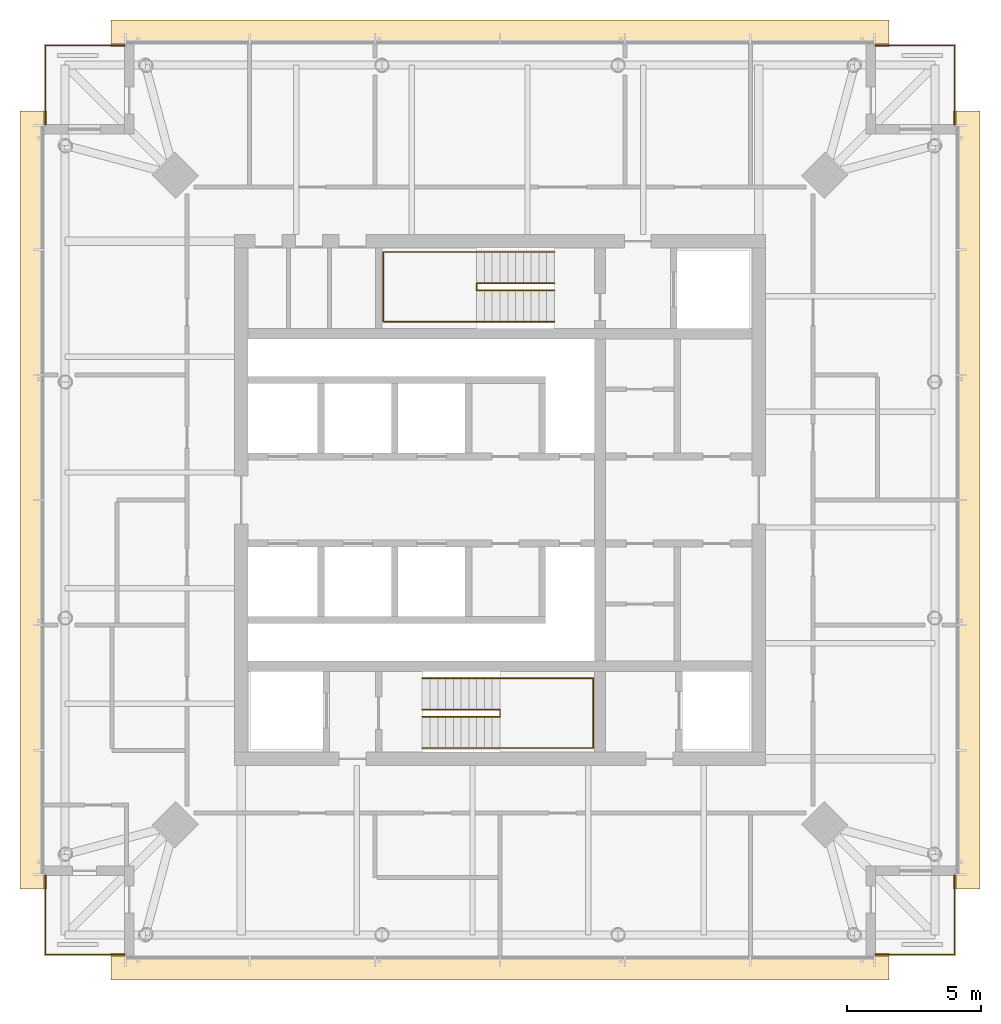
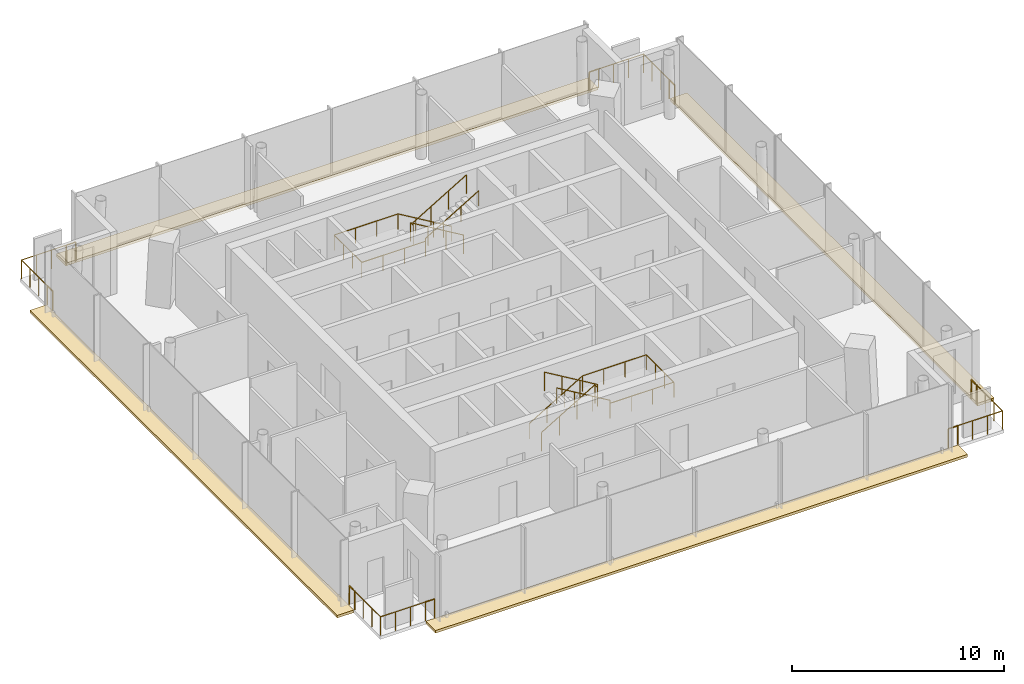
# One storey, part 9 of 9: 16 railings, 4 coverings.
"""IFC4 building model written with IfcOpenShell, lengths in metres."""

from ifc_helpers import new_model, si_unit, direction, frame, origin, origin_2d, place, context, subcontext, project, spatial, polyline, circle, outline, extrude, material, layer, layer_set, type_object, element, save


model = new_model("IFC4")

# Units and contexts
model_context = context("Model", 3, precision=1e-05, world=origin(), true_north=direction((0.0, 1.0)))
body_context = subcontext(model_context, "Body", "Model", "MODEL_VIEW")
ifc_project = project(units=[si_unit("LENGTHUNIT", "METRE"), si_unit("AREAUNIT", "SQUARE_METRE"), si_unit("VOLUMEUNIT", "CUBIC_METRE"), si_unit("PLANEANGLEUNIT", "RADIAN"), si_unit("MASSUNIT", "GRAM", prefix="KILO")], contexts=[model_context])

# Site, building, storey
site_placement = place(None, origin())
site = spatial("IfcSite", under=ifc_project, at=site_placement, CompositionType="ELEMENT")
building_placement = place(site_placement, origin())
building = spatial("IfcBuilding", under=site, at=building_placement, Name="Ostroluk Exchange", CompositionType="ELEMENT")
storey_placement = place(building_placement, frame((0.0, 0.0, 264.199951171875)))
storey = spatial("IfcBuildingStorey", under=building, at=storey_placement, Name="L68", CompositionType="ELEMENT", Elevation=264.199951171875)

# Railings
ifc_material_1 = material(Name="Stainless steel", Category="steel")
railing_type_1 = type_object("IfcRailingType", Name="Guard 1100 stainless steel", PredefinedType="GUARDRAIL", material=ifc_material_1)
railing_1_placement = place(storey_placement, frame((59.5, 29.050048828125, 0.0)))
element("IfcRailing", 1, at=railing_1_placement, inside=storey, type_object=railing_type_1, Name="Office tower SE balcony guard L68", PredefinedType="GUARDRAIL", context=body_context, shape_type="SweptSolid", body=[
    extrude(circle(Radius=0.02392578125, at=origin_2d()), frame((0.0, 0.0, 1.076171875), z_axis=(1.0, 0.0, 0.0), x_axis=(0.0, 1.0, 0.0)), (0.0, 0.0, 1.0), 2.449951171875),
    extrude(circle(Radius=0.02392578125, at=origin_2d()), frame((2.449951171875, 0.0, 1.076171875), z_axis=(0.0, 1.0, 0.0), x_axis=(-1.0, 0.0, 0.0)), (0.0, 0.0, 1.0), 2.449951171875),
    extrude(circle(Radius=0.02099609375, at=origin_2d()), origin(), (0.0, 0.0, 1.0), 1.052001953125),
    extrude(circle(Radius=0.02099609375, at=origin_2d()), frame((0.816650390625, 0.0, 0.0)), (0.0, 0.0, 1.0), 1.052001953125),
    extrude(circle(Radius=0.02099609375, at=origin_2d()), frame((1.63330078125, 0.0, 0.0)), (0.0, 0.0, 1.0), 1.052001953125),
    extrude(circle(Radius=0.02099609375, at=origin_2d()), frame((2.449951171875, 0.0, 0.0)), (0.0, 0.0, 1.0), 1.052001953125),
    extrude(circle(Radius=0.02099609375, at=origin_2d()), frame((2.449951171875, 0.816650390625, 0.0)), (0.0, 0.0, 1.0), 1.052001953125),
    extrude(circle(Radius=0.02099609375, at=origin_2d()), frame((2.449951171875, 1.63330078125, 0.0)), (0.0, 0.0, 1.0), 1.052001953125),
    extrude(circle(Radius=0.02099609375, at=origin_2d()), frame((2.449951171875, 2.449951171875, 0.0)), (0.0, 0.0, 1.0), 1.052001953125),
])
railing_2_placement = place(storey_placement, frame((59.5, 62.949951171875, 0.0)))
element("IfcRailing", 2, at=railing_2_placement, inside=storey, type_object=railing_type_1, Name="Office tower NE balcony guard L68", PredefinedType="GUARDRAIL", context=body_context, shape_type="SweptSolid", body=[
    extrude(circle(Radius=0.02392578125, at=origin_2d()), frame((0.0, 0.0, 1.076171875), z_axis=(1.0, 0.0, 0.0), x_axis=(0.0, 1.0, 0.0)), (0.0, 0.0, 1.0), 2.449951171875),
    extrude(circle(Radius=0.02392578125, at=origin_2d()), frame((2.449951171875, 0.0, 1.076171875), z_axis=(0.0, -1.0, 0.0), x_axis=(1.0, 0.0, 0.0)), (0.0, 0.0, 1.0), 2.449951171875),
    extrude(circle(Radius=0.02099609375, at=origin_2d()), origin(), (0.0, 0.0, 1.0), 1.052001953125),
    extrude(circle(Radius=0.02099609375, at=origin_2d()), frame((0.816650390625, 0.0, 0.0)), (0.0, 0.0, 1.0), 1.052001953125),
    extrude(circle(Radius=0.02099609375, at=origin_2d()), frame((1.63330078125, 0.0, 0.0)), (0.0, 0.0, 1.0), 1.052001953125),
    extrude(circle(Radius=0.02099609375, at=origin_2d()), frame((2.449951171875, 0.0, 0.0)), (0.0, 0.0, 1.0), 1.052001953125),
    extrude(circle(Radius=0.02099609375, at=origin_2d()), frame((2.449951171875, -0.816650390625, 0.0)), (0.0, 0.0, 1.0), 1.052001953125),
    extrude(circle(Radius=0.02099609375, at=origin_2d()), frame((2.449951171875, -1.63330078125, 0.0)), (0.0, 0.0, 1.0), 1.052001953125),
    extrude(circle(Radius=0.02099609375, at=origin_2d()), frame((2.449951171875, -2.449951171875, 0.0)), (0.0, 0.0, 1.0), 1.052001953125),
])
railing_3_placement = place(storey_placement, frame((30.5, 62.949951171875, 0.0)))
element("IfcRailing", 3, at=railing_3_placement, inside=storey, type_object=railing_type_1, Name="Office tower NW balcony guard L68", PredefinedType="GUARDRAIL", context=body_context, shape_type="SweptSolid", body=[
    extrude(circle(Radius=0.02392578125, at=origin_2d()), frame((0.0, 0.0, 1.076171875), z_axis=(-1.0, 0.0, 0.0), x_axis=(0.0, -1.0, 0.0)), (0.0, 0.0, 1.0), 2.449951171875),
    extrude(circle(Radius=0.02392578125, at=origin_2d()), frame((-2.449951171875, 0.0, 1.076171875), z_axis=(0.0, -1.0, 0.0), x_axis=(1.0, 0.0, 0.0)), (0.0, 0.0, 1.0), 2.449951171875),
    extrude(circle(Radius=0.02099609375, at=origin_2d()), origin(), (0.0, 0.0, 1.0), 1.052001953125),
    extrude(circle(Radius=0.02099609375, at=origin_2d()), frame((-0.816650390625, 0.0, 0.0)), (0.0, 0.0, 1.0), 1.052001953125),
    extrude(circle(Radius=0.02099609375, at=origin_2d()), frame((-1.63330078125, 0.0, 0.0)), (0.0, 0.0, 1.0), 1.052001953125),
    extrude(circle(Radius=0.02099609375, at=origin_2d()), frame((-2.449951171875, 0.0, 0.0)), (0.0, 0.0, 1.0), 1.052001953125),
    extrude(circle(Radius=0.02099609375, at=origin_2d()), frame((-2.449951171875, -0.816650390625, 0.0)), (0.0, 0.0, 1.0), 1.052001953125),
    extrude(circle(Radius=0.02099609375, at=origin_2d()), frame((-2.449951171875, -1.63330078125, 0.0)), (0.0, 0.0, 1.0), 1.052001953125),
    extrude(circle(Radius=0.02099609375, at=origin_2d()), frame((-2.449951171875, -2.449951171875, 0.0)), (0.0, 0.0, 1.0), 1.052001953125),
])
railing_4_placement = place(storey_placement, frame((30.5, 29.050048828125, 0.0)))
element("IfcRailing", 4, at=railing_4_placement, inside=storey, type_object=railing_type_1, Name="Office tower SW balcony guard L68", PredefinedType="GUARDRAIL", context=body_context, shape_type="SweptSolid", body=[
    extrude(circle(Radius=0.02392578125, at=origin_2d()), frame((0.0, 0.0, 1.076171875), z_axis=(-1.0, 0.0, 0.0), x_axis=(0.0, -1.0, 0.0)), (0.0, 0.0, 1.0), 2.449951171875),
    extrude(circle(Radius=0.02392578125, at=origin_2d()), frame((-2.449951171875, 0.0, 1.076171875), z_axis=(0.0, 1.0, 0.0), x_axis=(-1.0, 0.0, 0.0)), (0.0, 0.0, 1.0), 2.449951171875),
    extrude(circle(Radius=0.02099609375, at=origin_2d()), origin(), (0.0, 0.0, 1.0), 1.052001953125),
    extrude(circle(Radius=0.02099609375, at=origin_2d()), frame((-0.816650390625, 0.0, 0.0)), (0.0, 0.0, 1.0), 1.052001953125),
    extrude(circle(Radius=0.02099609375, at=origin_2d()), frame((-1.63330078125, 0.0, 0.0)), (0.0, 0.0, 1.0), 1.052001953125),
    extrude(circle(Radius=0.02099609375, at=origin_2d()), frame((-2.449951171875, 0.0, 0.0)), (0.0, 0.0, 1.0), 1.052001953125),
    extrude(circle(Radius=0.02099609375, at=origin_2d()), frame((-2.449951171875, 0.816650390625, 0.0)), (0.0, 0.0, 1.0), 1.052001953125),
    extrude(circle(Radius=0.02099609375, at=origin_2d()), frame((-2.449951171875, 1.63330078125, 0.0)), (0.0, 0.0, 1.0), 1.052001953125),
    extrude(circle(Radius=0.02099609375, at=origin_2d()), frame((-2.449951171875, 2.449951171875, 0.0)), (0.0, 0.0, 1.0), 1.052001953125),
])
ifc_material_2 = material(Name="Stainless steel", Category="steel")
railing_type_2 = type_object("IfcRailingType", Name="Lockable maintenance gate 1100", PredefinedType="GUARDRAIL", material=ifc_material_2)
railing_5_placement = place(storey_placement, frame((59.0, 29.050048828125, 0.0)))
element("IfcRailing", 5, at=railing_5_placement, inside=storey, type_object=railing_type_2, Name="Lockable maintenance gate T1 L68 SE", PredefinedType="GUARDRAIL", context=body_context, shape_type="SweptSolid", body=[
    extrude(circle(Radius=0.02392578125, at=origin_2d()), frame((0.0, 0.0, 1.076171875), z_axis=(1.0, 0.0, 0.0), x_axis=(0.0, 1.0, 0.0)), (0.0, 0.0, 1.0), 0.5),
    extrude(circle(Radius=0.02099609375, at=origin_2d()), origin(), (0.0, 0.0, 1.0), 1.052001953125),
    extrude(circle(Radius=0.02099609375, at=origin_2d()), frame((0.5, 0.0, 0.0)), (0.0, 0.0, 1.0), 1.052001953125),
])
railing_6_placement = place(storey_placement, frame((61.949951171875, 31.5, 0.0)))
element("IfcRailing", 6, at=railing_6_placement, inside=storey, type_object=railing_type_2, Name="Lockable maintenance gate T1 L68 SE", PredefinedType="GUARDRAIL", context=body_context, shape_type="SweptSolid", body=[
    extrude(circle(Radius=0.02392578125, at=origin_2d()), frame((0.0, 0.0, 1.076171875), z_axis=(0.0, 1.0, 0.0), x_axis=(-1.0, 0.0, 0.0)), (0.0, 0.0, 1.0), 0.5),
    extrude(circle(Radius=0.02099609375, at=origin_2d()), origin(), (0.0, 0.0, 1.0), 1.052001953125),
    extrude(circle(Radius=0.02099609375, at=origin_2d()), frame((0.0, 0.5, 0.0)), (0.0, 0.0, 1.0), 1.052001953125),
])
railing_7_placement = place(storey_placement, frame((59.0, 62.949951171875, 0.0)))
element("IfcRailing", 7, at=railing_7_placement, inside=storey, type_object=railing_type_2, Name="Lockable maintenance gate T1 L68 NE", PredefinedType="GUARDRAIL", context=body_context, shape_type="SweptSolid", body=[
    extrude(circle(Radius=0.02392578125, at=origin_2d()), frame((0.0, 0.0, 1.076171875), z_axis=(1.0, 0.0, 0.0), x_axis=(0.0, 1.0, 0.0)), (0.0, 0.0, 1.0), 0.5),
    extrude(circle(Radius=0.02099609375, at=origin_2d()), origin(), (0.0, 0.0, 1.0), 1.052001953125),
    extrude(circle(Radius=0.02099609375, at=origin_2d()), frame((0.5, 0.0, 0.0)), (0.0, 0.0, 1.0), 1.052001953125),
])
railing_8_placement = place(storey_placement, frame((61.949951171875, 60.5, 0.0)))
element("IfcRailing", 8, at=railing_8_placement, inside=storey, type_object=railing_type_2, Name="Lockable maintenance gate T1 L68 NE", PredefinedType="GUARDRAIL", context=body_context, shape_type="SweptSolid", body=[
    extrude(circle(Radius=0.02392578125, at=origin_2d()), frame((0.0, 0.0, 1.076171875), z_axis=(0.0, -1.0, 0.0), x_axis=(1.0, 0.0, 0.0)), (0.0, 0.0, 1.0), 0.5),
    extrude(circle(Radius=0.02099609375, at=origin_2d()), origin(), (0.0, 0.0, 1.0), 1.052001953125),
    extrude(circle(Radius=0.02099609375, at=origin_2d()), frame((0.0, -0.5, 0.0)), (0.0, 0.0, 1.0), 1.052001953125),
])
railing_9_placement = place(storey_placement, frame((31.0, 62.949951171875, 0.0)))
element("IfcRailing", 9, at=railing_9_placement, inside=storey, type_object=railing_type_2, Name="Lockable maintenance gate T1 L68 NW", PredefinedType="GUARDRAIL", context=body_context, shape_type="SweptSolid", body=[
    extrude(circle(Radius=0.02392578125, at=origin_2d()), frame((0.0, 0.0, 1.076171875), z_axis=(-1.0, 0.0, 0.0), x_axis=(0.0, -1.0, 0.0)), (0.0, 0.0, 1.0), 0.5),
    extrude(circle(Radius=0.02099609375, at=origin_2d()), origin(), (0.0, 0.0, 1.0), 1.052001953125),
    extrude(circle(Radius=0.02099609375, at=origin_2d()), frame((-0.5, 0.0, 0.0)), (0.0, 0.0, 1.0), 1.052001953125),
])
railing_10_placement = place(storey_placement, frame((28.050048828125, 60.5, 0.0)))
element("IfcRailing", 10, at=railing_10_placement, inside=storey, type_object=railing_type_2, Name="Lockable maintenance gate T1 L68 NW", PredefinedType="GUARDRAIL", context=body_context, shape_type="SweptSolid", body=[
    extrude(circle(Radius=0.02392578125, at=origin_2d()), frame((0.0, 0.0, 1.076171875), z_axis=(0.0, -1.0, 0.0), x_axis=(1.0, 0.0, 0.0)), (0.0, 0.0, 1.0), 0.5),
    extrude(circle(Radius=0.02099609375, at=origin_2d()), origin(), (0.0, 0.0, 1.0), 1.052001953125),
    extrude(circle(Radius=0.02099609375, at=origin_2d()), frame((0.0, -0.5, 0.0)), (0.0, 0.0, 1.0), 1.052001953125),
])
railing_11_placement = place(storey_placement, frame((31.0, 29.050048828125, 0.0)))
element("IfcRailing", 11, at=railing_11_placement, inside=storey, type_object=railing_type_2, Name="Lockable maintenance gate T1 L68 SW", PredefinedType="GUARDRAIL", context=body_context, shape_type="SweptSolid", body=[
    extrude(circle(Radius=0.02392578125, at=origin_2d()), frame((0.0, 0.0, 1.076171875), z_axis=(-1.0, 0.0, 0.0), x_axis=(0.0, -1.0, 0.0)), (0.0, 0.0, 1.0), 0.5),
    extrude(circle(Radius=0.02099609375, at=origin_2d()), origin(), (0.0, 0.0, 1.0), 1.052001953125),
    extrude(circle(Radius=0.02099609375, at=origin_2d()), frame((-0.5, 0.0, 0.0)), (0.0, 0.0, 1.0), 1.052001953125),
])
railing_12_placement = place(storey_placement, frame((28.050048828125, 31.5, 0.0)))
element("IfcRailing", 12, at=railing_12_placement, inside=storey, type_object=railing_type_2, Name="Lockable maintenance gate T1 L68 SW", PredefinedType="GUARDRAIL", context=body_context, shape_type="SweptSolid", body=[
    extrude(circle(Radius=0.02392578125, at=origin_2d()), frame((0.0, 0.0, 1.076171875), z_axis=(0.0, 1.0, 0.0), x_axis=(-1.0, 0.0, 0.0)), (0.0, 0.0, 1.0), 0.5),
    extrude(circle(Radius=0.02099609375, at=origin_2d()), origin(), (0.0, 0.0, 1.0), 1.052001953125),
    extrude(circle(Radius=0.02099609375, at=origin_2d()), frame((0.0, 0.5, 0.0)), (0.0, 0.0, 1.0), 1.052001953125),
])

# Coverings
ifc_material_3 = material(Name="Insulated steel roof deck with membrane, laid to falls, aluminium coping", Category="steel")
ifc_layer = layer(ifc_material_3, 0.14990234375)
ifc_layer_set = layer_set([ifc_layer], Name="Setback maintenance roof")
covering_type = type_object("IfcCoveringType", Name="Setback maintenance roof", PredefinedType="ROOFING", material=ifc_layer_set)
covering_1_placement = place(storey_placement, frame((0.0, 0.0, -0.14990234375)))
element("IfcCovering", 13, at=covering_1_placement, inside=storey, type_object=covering_type, Name="Maintenance roof, setback L68 south", PredefinedType="ROOFING", context=body_context, shape_type="SweptSolid", body=[
    extrude(outline(polyline([(30.5, 29.0), (59.5, 29.0), (59.5, 28.10009765625), (30.5, 28.10009765625), (30.5, 29.0)])), origin(), (0.0, 0.0, 1.0), 0.14990234375),
])
covering_2_placement = place(storey_placement, frame((0.0, 0.0, -0.14990234375)))
element("IfcCovering", 14, at=covering_2_placement, inside=storey, type_object=covering_type, Name="Maintenance roof, setback L68 east", PredefinedType="ROOFING", context=body_context, shape_type="SweptSolid", body=[
    extrude(outline(polyline([(62.0, 60.5), (62.89990234375, 60.5), (62.89990234375, 31.5), (62.0, 31.5), (62.0, 60.5)])), origin(), (0.0, 0.0, 1.0), 0.14990234375),
])
covering_3_placement = place(storey_placement, frame((0.0, 0.0, -0.14990234375)))
element("IfcCovering", 15, at=covering_3_placement, inside=storey, type_object=covering_type, Name="Maintenance roof, setback L68 north", PredefinedType="ROOFING", context=body_context, shape_type="SweptSolid", body=[
    extrude(outline(polyline([(30.5, 63.89990234375), (59.5, 63.89990234375), (59.5, 63.0), (30.5, 63.0), (30.5, 63.89990234375)])), origin(), (0.0, 0.0, 1.0), 0.14990234375),
])
covering_4_placement = place(storey_placement, frame((0.0, 0.0, -0.14990234375)))
element("IfcCovering", 16, at=covering_4_placement, inside=storey, type_object=covering_type, Name="Maintenance roof, setback L68 west", PredefinedType="ROOFING", context=body_context, shape_type="SweptSolid", body=[
    extrude(outline(polyline([(27.10009765625, 60.5), (28.0, 60.5), (28.0, 31.5), (27.10009765625, 31.5), (27.10009765625, 60.5)])), origin(), (0.0, 0.0, 1.0), 0.14990234375),
])

# Railings
ifc_material_4 = material(Name="Steel S355", Category="steel")
railing_type_3 = type_object("IfcRailingType", Name="Stair guard 1100", PredefinedType="GUARDRAIL", material=ifc_material_4)
railing_13_placement = place(storey_placement, frame((42.10009765625, 38.179931640625, 0.1728515625)))
element("IfcRailing", 17, at=railing_13_placement, inside=storey, type_object=railing_type_3, Name="Stair T1-S1 guard L68", PredefinedType="GUARDRAIL", context=body_context, shape_type="SweptSolid", body=[
    extrude(circle(Radius=0.02392578125, at=origin_2d()), frame((0.0, 0.0, 1.076171875), z_axis=(0.859141464434, 0.0, 0.511738159696), x_axis=(0.0, 1.0, 0.0)), (0.0, 0.0, 1.0), 3.375244140625),
    extrude(circle(Radius=0.02392578125, at=origin_2d()), frame((2.89990234375, 0.0, 2.80322265625), z_axis=(0.0, -1.0, 0.0), x_axis=(1.0, 0.0, 0.0)), (0.0, 0.0, 1.0), 0.260009765625),
    extrude(circle(Radius=0.02392578125, at=origin_2d()), frame((2.89990234375, -0.260009765625, 2.80322265625), z_axis=(0.0, 0.0, 1.0), x_axis=(1.0, 0.0, 0.0)), (0.0, 0.0, 1.0), 0.172607421875),
    extrude(circle(Radius=0.02392578125, at=origin_2d()), frame((2.89990234375, -0.260009765625, 2.97607421875), z_axis=(-0.859141464434, 0.0, 0.511738159696), x_axis=(0.0, -1.0, 0.0)), (0.0, 0.0, 1.0), 3.375244140625),
    extrude(circle(Radius=0.02099609375, at=origin_2d()), origin(), (0.0, 0.0, 1.0), 1.052001953125),
    extrude(circle(Radius=0.02099609375, at=origin_2d()), frame((0.966552734375, 0.0, 0.57568359375)), (0.0, 0.0, 1.0), 1.052001953125),
    extrude(circle(Radius=0.02099609375, at=origin_2d()), frame((1.933349609375, 0.0, 1.151611328125)), (0.0, 0.0, 1.0), 1.052001953125),
    extrude(circle(Radius=0.02099609375, at=origin_2d()), frame((2.89990234375, 0.0, 1.727294921875)), (0.0, 0.0, 1.0), 1.052001953125),
    extrude(circle(Radius=0.02099609375, at=origin_2d()), frame((2.89990234375, -0.260009765625, 1.727294921875)), (0.0, 0.0, 1.0), 1.052001953125),
    extrude(circle(Radius=0.02099609375, at=origin_2d()), frame((2.89990234375, -0.260009765625, 1.89990234375)), (0.0, 0.0, 1.0), 1.052001953125),
    extrude(circle(Radius=0.02099609375, at=origin_2d()), frame((1.933349609375, -0.260009765625, 2.4755859375)), (0.0, 0.0, 1.0), 1.052001953125),
    extrude(circle(Radius=0.02099609375, at=origin_2d()), frame((0.966552734375, -0.260009765625, 3.051513671875)), (0.0, 0.0, 1.0), 1.052001953125),
    extrude(circle(Radius=0.02099609375, at=origin_2d()), frame((0.0, -0.260009765625, 3.627197265625)), (0.0, 0.0, 1.0), 1.052001953125),
])
railing_14_placement = place(storey_placement, frame((47.030029296875, 54.080078125, 0.1728515625)))
element("IfcRailing", 18, at=railing_14_placement, inside=storey, type_object=railing_type_3, Name="Stair T1-S2 guard L68", PredefinedType="GUARDRAIL", context=body_context, shape_type="SweptSolid", body=[
    extrude(circle(Radius=0.02392578125, at=origin_2d()), frame((0.0, 0.0, 1.076171875), z_axis=(-0.859160404282, 0.0, 0.51170636083), x_axis=(0.0, -1.0, 0.0)), (0.0, 0.0, 1.0), 3.37548828125),
    extrude(circle(Radius=0.02392578125, at=origin_2d()), frame((-2.900146484375, 0.0, 2.80322265625), z_axis=(0.0, -1.0, 0.0), x_axis=(1.0, 0.0, 0.0)), (0.0, 0.0, 1.0), 0.260009765625),
    extrude(circle(Radius=0.02392578125, at=origin_2d()), frame((-2.900146484375, -0.260009765625, 2.80322265625), z_axis=(0.0, 0.0, 1.0), x_axis=(1.0, 0.0, 0.0)), (0.0, 0.0, 1.0), 0.172607421875),
    extrude(circle(Radius=0.02392578125, at=origin_2d()), frame((-2.900146484375, -0.260009765625, 2.97607421875), z_axis=(0.859160404282, 0.0, 0.51170636083), x_axis=(0.0, 1.0, 0.0)), (0.0, 0.0, 1.0), 3.37548828125),
    extrude(circle(Radius=0.02099609375, at=origin_2d()), origin(), (0.0, 0.0, 1.0), 1.052001953125),
    extrude(circle(Radius=0.02099609375, at=origin_2d()), frame((-0.966796875, 0.0, 0.57568359375)), (0.0, 0.0, 1.0), 1.052001953125),
    extrude(circle(Radius=0.02099609375, at=origin_2d()), frame((-1.933349609375, 0.0, 1.151611328125)), (0.0, 0.0, 1.0), 1.052001953125),
    extrude(circle(Radius=0.02099609375, at=origin_2d()), frame((-2.900146484375, 0.0, 1.727294921875)), (0.0, 0.0, 1.0), 1.052001953125),
    extrude(circle(Radius=0.02099609375, at=origin_2d()), frame((-2.900146484375, -0.260009765625, 1.727294921875)), (0.0, 0.0, 1.0), 1.052001953125),
    extrude(circle(Radius=0.02099609375, at=origin_2d()), frame((-2.900146484375, -0.260009765625, 1.89990234375)), (0.0, 0.0, 1.0), 1.052001953125),
    extrude(circle(Radius=0.02099609375, at=origin_2d()), frame((-1.933349609375, -0.260009765625, 2.4755859375)), (0.0, 0.0, 1.0), 1.052001953125),
    extrude(circle(Radius=0.02099609375, at=origin_2d()), frame((-0.966796875, -0.260009765625, 3.051513671875)), (0.0, 0.0, 1.0), 1.052001953125),
    extrude(circle(Radius=0.02099609375, at=origin_2d()), frame((0.0, -0.260009765625, 3.627197265625)), (0.0, 0.0, 1.0), 1.052001953125),
])
ifc_material_5 = material(Name="Stainless steel", Category="steel")
railing_type_4 = type_object("IfcRailingType", Name="Stair handrail 900", PredefinedType="HANDRAIL", material=ifc_material_5)
railing_15_placement = place(storey_placement, frame((42.10009765625, 39.35009765625, 0.1728515625)))
element("IfcRailing", 19, at=railing_15_placement, inside=storey, type_object=railing_type_4, Name="Stair T1-S1 handrail L68", PredefinedType="HANDRAIL", context=body_context, shape_type="SweptSolid", body=[
    extrude(circle(Radius=0.02392578125, at=origin_2d()), frame((0.0, 0.0, 0.8759765625), z_axis=(0.859141464434, 0.0, 0.511738159696), x_axis=(0.0, 1.0, 0.0)), (0.0, 0.0, 1.0), 3.375244140625),
    extrude(circle(Radius=0.02392578125, at=origin_2d()), frame((2.89990234375, 0.0, 2.60302734375), z_axis=(1.0, 0.0, 0.0), x_axis=(0.0, 1.0, 0.0)), (0.0, 0.0, 1.0), 3.47998046875),
    extrude(circle(Radius=0.02392578125, at=origin_2d()), frame((6.3798828125, 0.0, 2.60302734375), z_axis=(0.0, -1.0, 0.0), x_axis=(1.0, 0.0, 0.0)), (0.0, 0.0, 1.0), 2.60009765625),
    extrude(circle(Radius=0.02392578125, at=origin_2d()), frame((6.3798828125, -2.60009765625, 2.60302734375), z_axis=(-1.0, 0.0, 0.0), x_axis=(0.0, -1.0, 0.0)), (0.0, 0.0, 1.0), 3.47998046875),
    extrude(circle(Radius=0.02392578125, at=origin_2d()), frame((2.89990234375, -2.60009765625, 2.60302734375), z_axis=(0.0, 0.0, 1.0), x_axis=(1.0, 0.0, 0.0)), (0.0, 0.0, 1.0), 0.172607421875),
    extrude(circle(Radius=0.02392578125, at=origin_2d()), frame((2.89990234375, -2.60009765625, 2.77587890625), z_axis=(-0.859141464434, 0.0, 0.511738159696), x_axis=(0.0, -1.0, 0.0)), (0.0, 0.0, 1.0), 3.375244140625),
    extrude(circle(Radius=0.02099609375, at=origin_2d()), origin(), (0.0, 0.0, 1.0), 0.851806640625),
    extrude(circle(Radius=0.02099609375, at=origin_2d()), frame((0.966552734375, 0.0, 0.57568359375)), (0.0, 0.0, 1.0), 0.851806640625),
    extrude(circle(Radius=0.02099609375, at=origin_2d()), frame((1.933349609375, 0.0, 1.151611328125)), (0.0, 0.0, 1.0), 0.851806640625),
    extrude(circle(Radius=0.02099609375, at=origin_2d()), frame((2.89990234375, 0.0, 1.727294921875)), (0.0, 0.0, 1.0), 0.851806640625),
    extrude(circle(Radius=0.02099609375, at=origin_2d()), frame((4.059814453125, 0.0, 1.727294921875)), (0.0, 0.0, 1.0), 0.851806640625),
    extrude(circle(Radius=0.02099609375, at=origin_2d()), frame((5.219970703125, 0.0, 1.727294921875)), (0.0, 0.0, 1.0), 0.851806640625),
    extrude(circle(Radius=0.02099609375, at=origin_2d()), frame((6.3798828125, 0.0, 1.727294921875)), (0.0, 0.0, 1.0), 0.851806640625),
    extrude(circle(Radius=0.02099609375, at=origin_2d()), frame((6.3798828125, -0.86669921875, 1.727294921875)), (0.0, 0.0, 1.0), 0.851806640625),
    extrude(circle(Radius=0.02099609375, at=origin_2d()), frame((6.3798828125, -1.7333984375, 1.727294921875)), (0.0, 0.0, 1.0), 0.851806640625),
    extrude(circle(Radius=0.02099609375, at=origin_2d()), frame((6.3798828125, -2.60009765625, 1.727294921875)), (0.0, 0.0, 1.0), 0.851806640625),
    extrude(circle(Radius=0.02099609375, at=origin_2d()), frame((5.219970703125, -2.60009765625, 1.727294921875)), (0.0, 0.0, 1.0), 0.851806640625),
    extrude(circle(Radius=0.02099609375, at=origin_2d()), frame((4.059814453125, -2.60009765625, 1.727294921875)), (0.0, 0.0, 1.0), 0.851806640625),
    extrude(circle(Radius=0.02099609375, at=origin_2d()), frame((2.89990234375, -2.60009765625, 1.727294921875)), (0.0, 0.0, 1.0), 0.851806640625),
    extrude(circle(Radius=0.02099609375, at=origin_2d()), frame((2.89990234375, -2.60009765625, 1.89990234375)), (0.0, 0.0, 1.0), 0.851806640625),
    extrude(circle(Radius=0.02099609375, at=origin_2d()), frame((1.933349609375, -2.60009765625, 2.4755859375)), (0.0, 0.0, 1.0), 0.851806640625),
    extrude(circle(Radius=0.02099609375, at=origin_2d()), frame((0.966552734375, -2.60009765625, 3.051513671875)), (0.0, 0.0, 1.0), 0.851806640625),
    extrude(circle(Radius=0.02099609375, at=origin_2d()), frame((0.0, -2.60009765625, 3.627197265625)), (0.0, 0.0, 1.0), 0.851806640625),
])
railing_16_placement = place(storey_placement, frame((47.030029296875, 55.25, 0.1728515625)))
element("IfcRailing", 20, at=railing_16_placement, inside=storey, type_object=railing_type_4, Name="Stair T1-S2 handrail L68", PredefinedType="HANDRAIL", context=body_context, shape_type="SweptSolid", body=[
    extrude(circle(Radius=0.02392578125, at=origin_2d()), frame((0.0, 0.0, 0.8759765625), z_axis=(-0.859160404282, 0.0, 0.51170636083), x_axis=(0.0, -1.0, 0.0)), (0.0, 0.0, 1.0), 3.37548828125),
    extrude(circle(Radius=0.02392578125, at=origin_2d()), frame((-2.900146484375, 0.0, 2.60302734375), z_axis=(-1.0, 0.0, 0.0), x_axis=(0.0, -1.0, 0.0)), (0.0, 0.0, 1.0), 3.47998046875),
    extrude(circle(Radius=0.02392578125, at=origin_2d()), frame((-6.380126953125, 0.0, 2.60302734375), z_axis=(0.0, -1.0, 0.0), x_axis=(1.0, 0.0, 0.0)), (0.0, 0.0, 1.0), 2.60009765625),
    extrude(circle(Radius=0.02392578125, at=origin_2d()), frame((-6.380126953125, -2.60009765625, 2.60302734375), z_axis=(1.0, 0.0, 0.0), x_axis=(0.0, 1.0, 0.0)), (0.0, 0.0, 1.0), 3.47998046875),
    extrude(circle(Radius=0.02392578125, at=origin_2d()), frame((-2.900146484375, -2.60009765625, 2.60302734375), z_axis=(0.0, 0.0, 1.0), x_axis=(1.0, 0.0, 0.0)), (0.0, 0.0, 1.0), 0.172607421875),
    extrude(circle(Radius=0.02392578125, at=origin_2d()), frame((-2.900146484375, -2.60009765625, 2.77587890625), z_axis=(0.859160404282, 0.0, 0.51170636083), x_axis=(0.0, 1.0, 0.0)), (0.0, 0.0, 1.0), 3.37548828125),
    extrude(circle(Radius=0.02099609375, at=origin_2d()), origin(), (0.0, 0.0, 1.0), 0.851806640625),
    extrude(circle(Radius=0.02099609375, at=origin_2d()), frame((-0.966796875, 0.0, 0.57568359375)), (0.0, 0.0, 1.0), 0.851806640625),
    extrude(circle(Radius=0.02099609375, at=origin_2d()), frame((-1.933349609375, 0.0, 1.151611328125)), (0.0, 0.0, 1.0), 0.851806640625),
    extrude(circle(Radius=0.02099609375, at=origin_2d()), frame((-2.900146484375, 0.0, 1.727294921875)), (0.0, 0.0, 1.0), 0.851806640625),
    extrude(circle(Radius=0.02099609375, at=origin_2d()), frame((-4.06005859375, 0.0, 1.727294921875)), (0.0, 0.0, 1.0), 0.851806640625),
    extrude(circle(Radius=0.02099609375, at=origin_2d()), frame((-5.22021484375, 0.0, 1.727294921875)), (0.0, 0.0, 1.0), 0.851806640625),
    extrude(circle(Radius=0.02099609375, at=origin_2d()), frame((-6.380126953125, 0.0, 1.727294921875)), (0.0, 0.0, 1.0), 0.851806640625),
    extrude(circle(Radius=0.02099609375, at=origin_2d()), frame((-6.380126953125, -0.86669921875, 1.727294921875)), (0.0, 0.0, 1.0), 0.851806640625),
    extrude(circle(Radius=0.02099609375, at=origin_2d()), frame((-6.380126953125, -1.7333984375, 1.727294921875)), (0.0, 0.0, 1.0), 0.851806640625),
    extrude(circle(Radius=0.02099609375, at=origin_2d()), frame((-6.380126953125, -2.60009765625, 1.727294921875)), (0.0, 0.0, 1.0), 0.851806640625),
    extrude(circle(Radius=0.02099609375, at=origin_2d()), frame((-5.22021484375, -2.60009765625, 1.727294921875)), (0.0, 0.0, 1.0), 0.851806640625),
    extrude(circle(Radius=0.02099609375, at=origin_2d()), frame((-4.06005859375, -2.60009765625, 1.727294921875)), (0.0, 0.0, 1.0), 0.851806640625),
    extrude(circle(Radius=0.02099609375, at=origin_2d()), frame((-2.900146484375, -2.60009765625, 1.727294921875)), (0.0, 0.0, 1.0), 0.851806640625),
    extrude(circle(Radius=0.02099609375, at=origin_2d()), frame((-2.900146484375, -2.60009765625, 1.89990234375)), (0.0, 0.0, 1.0), 0.851806640625),
    extrude(circle(Radius=0.02099609375, at=origin_2d()), frame((-1.933349609375, -2.60009765625, 2.4755859375)), (0.0, 0.0, 1.0), 0.851806640625),
    extrude(circle(Radius=0.02099609375, at=origin_2d()), frame((-0.966796875, -2.60009765625, 3.051513671875)), (0.0, 0.0, 1.0), 0.851806640625),
    extrude(circle(Radius=0.02099609375, at=origin_2d()), frame((0.0, -2.60009765625, 3.627197265625)), (0.0, 0.0, 1.0), 0.851806640625),
])

save(model, "model.ifc")
